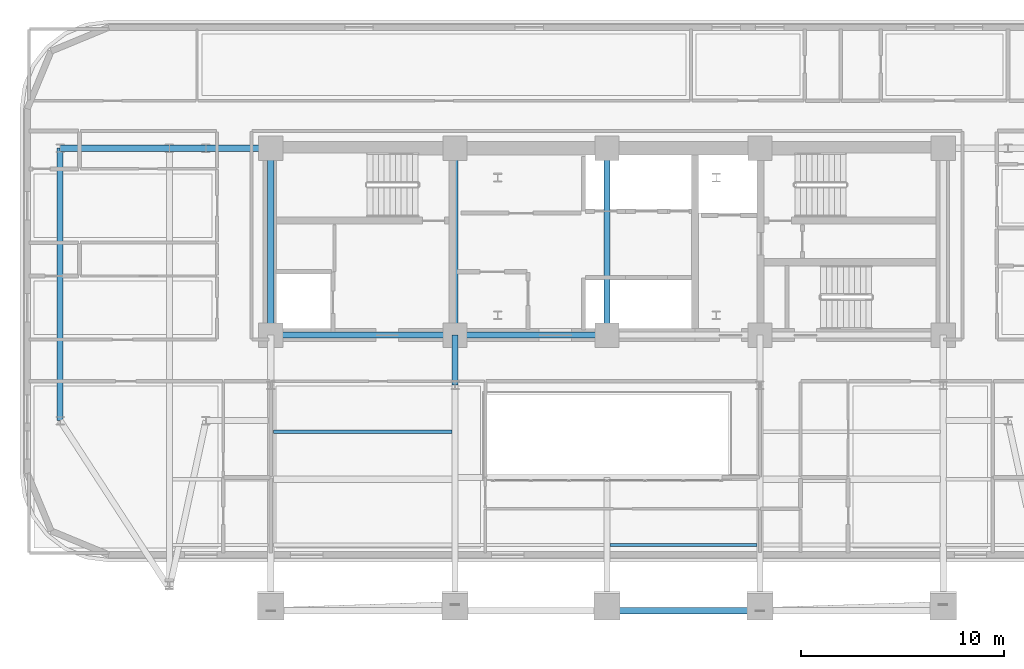
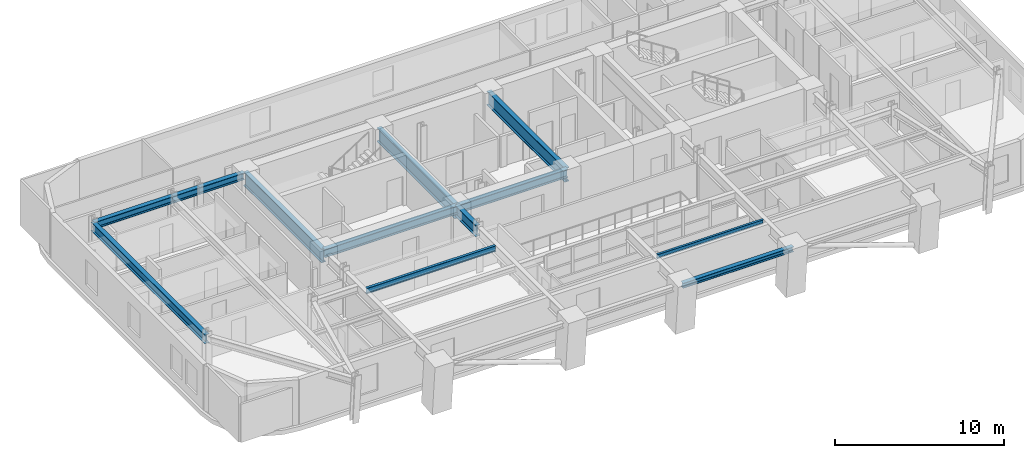
# One storey, part 3 of 14: 13 beams.
"""IFC4 building model written with IfcOpenShell, lengths in metres."""

from ifc_helpers import new_model, si_unit, direction, frame, origin, origin_2d, place, context, subcontext, project, spatial, i_section, extrude, material, material_profile, profile_set, type_object, element, save


model = new_model("IFC4")

# Units and contexts
model_context = context("Model", 3, precision=1e-05, world=origin(), true_north=direction((0.0, 1.0)))
body_context = subcontext(model_context, "Body", "Model", "MODEL_VIEW")
ifc_project = project(units=[si_unit("LENGTHUNIT", "METRE"), si_unit("AREAUNIT", "SQUARE_METRE"), si_unit("VOLUMEUNIT", "CUBIC_METRE"), si_unit("PLANEANGLEUNIT", "RADIAN"), si_unit("MASSUNIT", "GRAM", prefix="KILO")], contexts=[model_context])

# Site, building, storey
site_placement = place(None, origin())
site = spatial("IfcSite", under=ifc_project, at=site_placement, CompositionType="ELEMENT")
building_placement = place(site_placement, origin())
building = spatial("IfcBuilding", under=site, at=building_placement, Name="Zarnavel Station Tower", CompositionType="ELEMENT")
storey_placement = place(building_placement, frame((0.0, 0.0, 129.300048828125)))
storey = spatial("IfcBuildingStorey", under=building, at=storey_placement, Name="L35", CompositionType="ELEMENT", Elevation=129.300048828125)

# Beams
ifc_material_1 = material(Name="Steel S355J2", Category="steel")
ifc_material_profile_1 = material_profile(ifc_material_1, i_section(OverallWidth=0.300048828125, OverallDepth=0.360107421875, WebThickness=0.012451171875, FlangeThickness=0.0224609375, FilletRadius=0.027099609375, at=origin_2d()), Name="HEB360")
ifc_profile_set_1 = profile_set([ifc_material_profile_1], Name="Steel S355J2")
beam_type_1 = type_object("IfcBeamType", Name="EB_HEB360", PredefinedType="SPANDREL", material=ifc_profile_set_1)
beam_1_placement = place(storey_placement, frame((28.800048828125, 14.213623046875, 3.099853515625), z_axis=(1.0, 0.0, 0.0), x_axis=(0.0, 1.0, 0.0)))
element("IfcBeam", 1, at=beam_1_placement, inside=storey, type_object=beam_type_1, Name="L35 South Raked Spandrel 3", PredefinedType="SPANDREL", context=body_context, shape_type="SweptSolid", body=[
    extrude(i_section(OverallWidth=0.300048828125, OverallDepth=0.360107421875, WebThickness=0.012451171875, FlangeThickness=0.0224609375, FilletRadius=0.027099609375, at=origin_2d()), origin(), (0.0, 0.0, 1.0), 7.550048828125),
])
ifc_material_2 = material(Name="Steel S355J2", Category="steel")
ifc_material_profile_2 = material_profile(ifc_material_2, i_section(OverallWidth=0.179931640625, OverallDepth=0.39990234375, WebThickness=0.008544921875, FlangeThickness=0.013427734375, FilletRadius=0.02099609375, at=origin_2d()), Name="IPE400")
ifc_profile_set_2 = profile_set([ifc_material_profile_2], Name="Steel S355J2")
beam_type_2 = type_object("IfcBeamType", Name="FB_IPE400", PredefinedType="BEAM", material=ifc_profile_set_2)
beam_2_placement = place(storey_placement, frame((12.344970703125, 23.053466796875, 3.079833984375), z_axis=(1.0, 0.0, 0.0), x_axis=(0.0, 1.0, 0.0)))
element("IfcBeam", 2, at=beam_2_placement, inside=storey, type_object=beam_type_2, Name="L35 West Bay Beam 3", PredefinedType="BEAM", context=body_context, shape_type="SweptSolid", body=[
    extrude(i_section(OverallWidth=0.179931640625, OverallDepth=0.39990234375, WebThickness=0.008544921875, FlangeThickness=0.013427734375, FilletRadius=0.02099609375, at=origin_2d()), origin(), (0.0, 0.0, 1.0), 8.81005859375),
])
ifc_material_3 = material(Name="Steel S355J2", Category="steel")
ifc_material_profile_3 = material_profile(ifc_material_3, i_section(OverallWidth=0.300048828125, OverallDepth=0.5, WebThickness=0.014404296875, FlangeThickness=0.028076171875, FilletRadius=0.027099609375, at=origin_2d()), Name="HEB500")
ifc_profile_set_3 = profile_set([ifc_material_profile_3], Name="Steel S355J2")
beam_type_3 = type_object("IfcBeamType", Name="FG_HEB500", PredefinedType="USERDEFINED", material=ifc_profile_set_3)
beam_3_placement = place(storey_placement, frame((1.800048828125, 37.050048828125, 3.030029296875), z_axis=(1.0, 0.0, 0.0), x_axis=(0.0, 1.0, 0.0)))
element("IfcBeam", 3, at=beam_3_placement, inside=storey, type_object=beam_type_3, Name="L35 West Wing North Tie 1", ObjectType="GIRDER", PredefinedType="USERDEFINED", context=body_context, shape_type="SweptSolid", body=[
    extrude(i_section(OverallWidth=0.300048828125, OverallDepth=0.5, WebThickness=0.014404296875, FlangeThickness=0.028076171875, FilletRadius=0.027099609375, at=origin_2d()), origin(), (0.0, 0.0, 1.0), 5.39990234375),
])
beam_4_placement = place(storey_placement, frame((7.199951171875, 37.050048828125, 3.030029296875), z_axis=(1.0, 0.0, 0.0), x_axis=(0.0, 1.0, 0.0)))
element("IfcBeam", 4, at=beam_4_placement, inside=storey, type_object=beam_type_3, Name="L35 West Wing North Tie 2", ObjectType="GIRDER", PredefinedType="USERDEFINED", context=body_context, shape_type="SweptSolid", body=[
    extrude(i_section(OverallWidth=0.300048828125, OverallDepth=0.5, WebThickness=0.014404296875, FlangeThickness=0.028076171875, FilletRadius=0.027099609375, at=origin_2d()), origin(), (0.0, 0.0, 1.0), 1.800048828125),
])
beam_5_placement = place(storey_placement, frame((9.0, 37.050048828125, 3.030029296875), z_axis=(1.0, 0.0, 0.0), x_axis=(0.0, 1.0, 0.0)))
element("IfcBeam", 5, at=beam_5_placement, inside=storey, type_object=beam_type_3, Name="L35 West Wing North Tie 3", ObjectType="GIRDER", PredefinedType="USERDEFINED", context=body_context, shape_type="SweptSolid", body=[
    extrude(i_section(OverallWidth=0.300048828125, OverallDepth=0.5, WebThickness=0.014404296875, FlangeThickness=0.028076171875, FilletRadius=0.027099609375, at=origin_2d()), origin(), (0.0, 0.0, 1.0), 3.054931640625),
])
ifc_material_4 = material(Name="Steel S355J2", Category="steel")
ifc_material_profile_4 = material_profile(ifc_material_4, i_section(OverallWidth=0.300048828125, OverallDepth=0.60009765625, WebThickness=0.015380859375, FlangeThickness=0.030029296875, FilletRadius=0.027099609375, at=origin_2d()), Name="HEB600")
ifc_profile_set_4 = profile_set([ifc_material_profile_4], Name="Steel S355J2")
beam_type_4 = type_object("IfcBeamType", Name="FG_HEB600", PredefinedType="USERDEFINED", material=ifc_profile_set_4)
beam_6_placement = place(storey_placement, frame((12.199951171875, 27.820068359375, 2.97998046875), z_axis=(1.0, 0.0, 0.0), x_axis=(0.0, 1.0, 0.0)))
element("IfcBeam", 6, at=beam_6_placement, inside=storey, type_object=beam_type_4, Name="L35 Core Front Coupling Beam 1", ObjectType="GIRDER", PredefinedType="USERDEFINED", context=body_context, shape_type="SweptSolid", body=[
    extrude(i_section(OverallWidth=0.300048828125, OverallDepth=0.60009765625, WebThickness=0.015380859375, FlangeThickness=0.030029296875, FilletRadius=0.027099609375, at=origin_2d()), origin(), (0.0, 0.0, 1.0), 9.10009765625),
])
beam_7_placement = place(storey_placement, frame((21.300048828125, 27.820068359375, 2.97998046875), z_axis=(1.0, 0.0, 0.0), x_axis=(0.0, 1.0, 0.0)))
element("IfcBeam", 7, at=beam_7_placement, inside=storey, type_object=beam_type_4, Name="L35 Core Front Coupling Beam 2", ObjectType="GIRDER", PredefinedType="USERDEFINED", context=body_context, shape_type="SweptSolid", body=[
    extrude(i_section(OverallWidth=0.300048828125, OverallDepth=0.60009765625, WebThickness=0.015380859375, FlangeThickness=0.030029296875, FilletRadius=0.027099609375, at=origin_2d()), origin(), (0.0, 0.0, 1.0), 7.5),
])
ifc_material_5 = material(Name="Steel S355J2", Category="steel")
ifc_material_profile_5 = material_profile(ifc_material_5, i_section(OverallWidth=0.300048828125, OverallDepth=0.64990234375, WebThickness=0.01611328125, FlangeThickness=0.031005859375, FilletRadius=0.027099609375, at=origin_2d()), Name="HEB650")
ifc_profile_set_5 = profile_set([ifc_material_profile_5], Name="Steel S355J2")
beam_type_5 = type_object("IfcBeamType", Name="FG_HEB650", PredefinedType="USERDEFINED", material=ifc_profile_set_5)
beam_8_placement = place(storey_placement, frame((1.800048828125, 23.60009765625, 2.954833984375), z_axis=(0.0, 1.0, 0.0), x_axis=(-1.0, 0.0, 0.0)))
element("IfcBeam", 8, at=beam_8_placement, inside=storey, type_object=beam_type_5, Name="L35 Wing NS Girder 1", ObjectType="GIRDER", PredefinedType="USERDEFINED", context=body_context, shape_type="SweptSolid", body=[
    extrude(i_section(OverallWidth=0.300048828125, OverallDepth=0.64990234375, WebThickness=0.01611328125, FlangeThickness=0.031005859375, FilletRadius=0.027099609375, at=origin_2d()), origin(), (0.0, 0.0, 1.0), 13.449951171875),
])
ifc_material_6 = material(Name="Steel S460M", Category="steel")
ifc_material_profile_6 = material_profile(ifc_material_6, i_section(OverallWidth=0.302978515625, OverallDepth=0.81396484375, WebThickness=0.02099609375, FlangeThickness=0.0400390625, FilletRadius=0.030029296875, at=origin_2d()), Name="HEM800")
ifc_profile_set_6 = profile_set([ifc_material_profile_6], Name="Steel S460M")
beam_type_6 = type_object("IfcBeamType", Name="FG_HEM800", PredefinedType="USERDEFINED", material=ifc_profile_set_6)
beam_9_placement = place(storey_placement, frame((21.300048828125, 25.35009765625, 2.873046875), z_axis=(0.0, 1.0, 0.0), x_axis=(-1.0, 0.0, 0.0)))
element("IfcBeam", 9, at=beam_9_placement, inside=storey, type_object=beam_type_6, Name="L35 Inner-Zone NS Girder 2", ObjectType="GIRDER", PredefinedType="USERDEFINED", context=body_context, shape_type="SweptSolid", body=[
    extrude(i_section(OverallWidth=0.302978515625, OverallDepth=0.81396484375, WebThickness=0.02099609375, FlangeThickness=0.0400390625, FilletRadius=0.030029296875, at=origin_2d()), origin(), (0.0, 0.0, 1.0), 2.469970703125),
])
ifc_material_7 = material(Name="Steel S355J2", Category="steel")
ifc_material_profile_7 = material_profile(ifc_material_7, i_section(OverallWidth=0.14990234375, OverallDepth=0.300048828125, WebThickness=0.007080078125, FlangeThickness=0.0107421875, FilletRadius=0.014892578125, at=origin_2d()), Name="IPE300")
ifc_profile_set_7 = profile_set([ifc_material_profile_7], Name="Steel S355J2")
beam_type_7 = type_object("IfcBeamType", Name="FJ_IPE300", PredefinedType="JOIST", material=ifc_profile_set_7)
beam_10_placement = place(storey_placement, frame((28.945068359375, 17.460205078125, 3.1298828125), z_axis=(1.0, 0.0, 0.0), x_axis=(0.0, 1.0, 0.0)))
element("IfcBeam", 10, at=beam_10_placement, inside=storey, type_object=beam_type_7, Name="L35 Mid-East Joist 1", PredefinedType="JOIST", context=body_context, shape_type="SweptSolid", body=[
    extrude(i_section(OverallWidth=0.14990234375, OverallDepth=0.300048828125, WebThickness=0.007080078125, FlangeThickness=0.0107421875, FilletRadius=0.014892578125, at=origin_2d()), origin(), (0.0, 0.0, 1.0), 7.260009765625),
])
ifc_material_8 = material(Name="Steel S460M", Category="steel")
ifc_material_profile_8 = material_profile(ifc_material_8, i_section(OverallWidth=0.302001953125, OverallDepth=1.008056640625, WebThickness=0.02099609375, FlangeThickness=0.0400390625, FilletRadius=0.030029296875, at=origin_2d()), Name="HEM1000")
ifc_profile_set_8 = profile_set([ifc_material_profile_8], Name="Steel S460M")
beam_type_8 = type_object("IfcBeamType", Name="TG_HEM1000", PredefinedType="USERDEFINED", material=ifc_profile_set_8)
for number, where, z_axis, x_axis, name in (
    (11, (12.199951171875, 27.820068359375, 2.77587890625), (0.0, 1.0, 0.0), (-1.0, 0.0, 0.0), "L35 Core Spine Coupling Girder 1"),
    (12, (21.300048828125, 27.820068359375, 2.77587890625), (0.0, 1.0, 0.0), (-1.0, 0.0, 0.0), "L35 Core Spine Coupling Girder 2"),
    (13, (28.800048828125, 27.820068359375, 2.77587890625), (0.0, 1.0, 0.0), (-1.0, 0.0, 0.0), "L35 Core Spine Coupling Girder 3"),
):
    element("IfcBeam", number, at=place(storey_placement, frame(where, z_axis=z_axis, x_axis=x_axis)), inside=storey, type_object=beam_type_8, Name=name, ObjectType="GIRDER", PredefinedType="USERDEFINED", context=body_context, shape_type="SweptSolid", body=[
        extrude(i_section(OverallWidth=0.302001953125, OverallDepth=1.008056640625, WebThickness=0.02099609375, FlangeThickness=0.0400390625, FilletRadius=0.030029296875, at=origin_2d()), origin(), (0.0, 0.0, 1.0), 9.22998046875),
    ])

save(model, "model.ifc")
